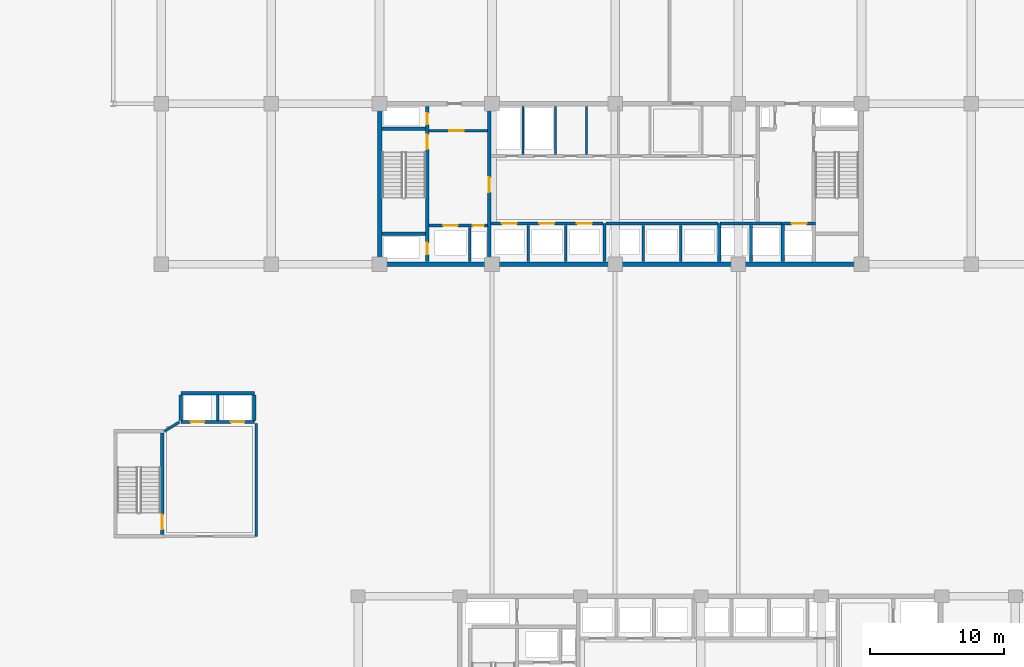
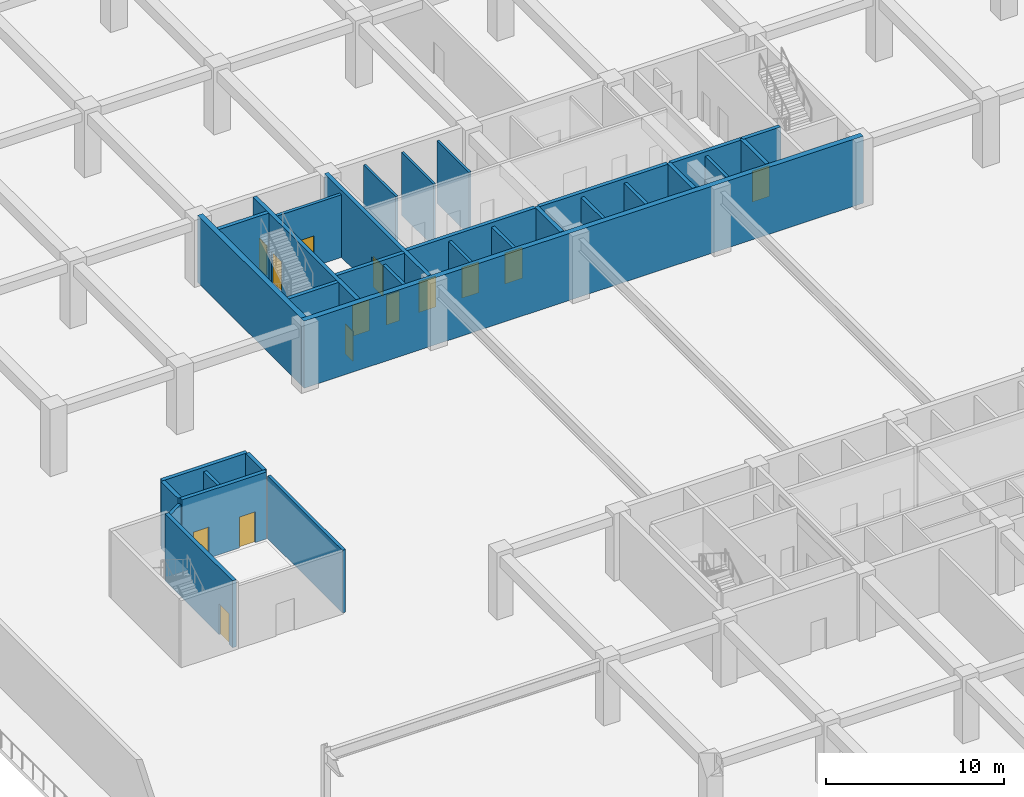
# One storey, part 24 of 45: 32 walls, 14 doors, 14 openings.
"""IFC4 building model written with IfcOpenShell, lengths in metres."""

from ifc_helpers import new_model, si_unit, direction, frame, frame_2d, origin, place, context, subcontext, project, spatial, rectangle, extrude, material, layer, layer_set, type_object, element, fill, save


model = new_model("IFC4")

# Units and contexts
model_context = context("Model", 3, precision=1e-05, world=origin(), true_north=direction((0.0, 1.0)))
body_context = subcontext(model_context, "Body", "Model", "MODEL_VIEW")
ifc_project = project(units=[si_unit("LENGTHUNIT", "METRE"), si_unit("AREAUNIT", "SQUARE_METRE"), si_unit("VOLUMEUNIT", "CUBIC_METRE"), si_unit("PLANEANGLEUNIT", "RADIAN"), si_unit("MASSUNIT", "GRAM", prefix="KILO")], contexts=[model_context])

# Site, building, storey
site_placement = place(None, origin())
site = spatial("IfcSite", under=ifc_project, at=site_placement, CompositionType="ELEMENT")
building_placement = place(site_placement, origin())
building = spatial("IfcBuilding", under=site, at=building_placement, Name="Korimba Cascade Residences", CompositionType="ELEMENT")
storey_placement = place(building_placement, frame((0.0, 0.0, 5.39990234375)))
storey = spatial("IfcBuildingStorey", under=building, at=storey_placement, Name="L01", CompositionType="ELEMENT", Elevation=5.39990234375)

# Walls
ifc_material_1 = material(Name="Concrete C65/80", Category="concrete")
ifc_layer_1 = layer(ifc_material_1, 0.35009765625)
ifc_layer_set_1 = layer_set([ifc_layer_1], Name="Concrete C65/80")
wall_type_1 = type_object("IfcWallType", Name="WAL-CORE-350", PredefinedType="SHEAR", material=ifc_layer_set_1)
wall_1_placement = place(storey_placement, frame((75.949951171875, 55.199951171875, 0.0), z_axis=(0.0, 0.0, 1.0), x_axis=(1.0, 0.0, 0.0)))
element("IfcWall", 1, at=wall_1_placement, inside=storey, type_object=wall_type_1, Name="L01 Core Shear Wall CW-L01-T1-S", PredefinedType="SHEAR", context=body_context, shape_type="SweptSolid", body=[
    extrude(rectangle(XDim=36.300048828125, YDim=0.35009765625, at=frame_2d((18.14990234375, 0.0))), origin(), (0.0, 0.0, 1.0), 4.60009765625),
])
wall_2_placement = place(storey_placement, frame((76.125, 55.375, 0.0), z_axis=(0.0, 0.0, 1.0), x_axis=(0.0, 1.0, 0.0)))
element("IfcWall", 2, at=wall_2_placement, inside=storey, type_object=wall_type_1, Name="L01 Core Shear Wall CW-L01-T1-W", PredefinedType="SHEAR", context=body_context, shape_type="SweptSolid", body=[
    extrude(rectangle(XDim=11.64990234375, YDim=0.35009765625, at=frame_2d((5.824951171875, 0.0))), origin(), (0.0, 0.0, 1.0), 4.60009765625),
])
ifc_material_2 = material(Name="Insulated Acoustic Stud Partition", Category="gypsum")
ifc_layer_2 = layer(ifc_material_2, 0.14990234375)
ifc_layer_set_2 = layer_set([ifc_layer_2], Name="Insulated Acoustic Stud Partition")
wall_type_2 = type_object("IfcWallType", Name="WAL-PART-150", PredefinedType="PARTITIONING", material=ifc_layer_set_2)
for number, where, z_axis, x_axis, name in (
    (3, (86.800048828125, 63.39990234375, 0.0), (0.0, 0.0, 1.0), (0.0, 1.0, 0.0), "L01 Partition Wall CW-L01-T1-ERDIV"),
    (4, (89.25, 63.39990234375, 0.0), (0.0, 0.0, 1.0), (0.0, 1.0, 0.0), "L01 Partition Wall CW-L01-T1-PRDIV"),
    (5, (91.550048828125, 63.39990234375, 0.0), (0.0, 0.0, 1.0), (0.0, 1.0, 0.0), "L01 Partition Wall CW-L01-T1-CA1W1"),
):
    element("IfcWall", number, at=place(storey_placement, frame(where, z_axis=z_axis, x_axis=x_axis)), inside=storey, type_object=wall_type_2, Name=name, PredefinedType="PARTITIONING", context=body_context, shape_type="SweptSolid", body=[
        extrude(rectangle(XDim=3.60009765625, YDim=0.14990234375, at=frame_2d((1.800048828125, 0.0))), origin(), (0.0, 0.0, 1.0), 4.300048828125),
    ])
ifc_material_3 = material(Name="Concrete C40/50", Category="concrete")
ifc_layer_3 = layer(ifc_material_3, 0.199951171875)
ifc_layer_set_3 = layer_set([ifc_layer_3], Name="Concrete C40/50")
wall_type_3 = type_object("IfcWallType", Name="WAL-PART-200", PredefinedType="PARTITIONING", material=ifc_layer_set_3)
wall_3_placement = place(storey_placement, frame((82.85009765625, 55.39990234375, 0.0), z_axis=(0.0, 0.0, 1.0), x_axis=(0.0, 1.0, 0.0)))
element("IfcWall", 6, at=wall_3_placement, inside=storey, type_object=wall_type_3, Name="L01 Partition Wall CW-L01-T1-FFLDIV", PredefinedType="PARTITIONING", context=body_context, shape_type="SweptSolid", body=[
    extrude(rectangle(XDim=2.56005859375, YDim=0.199951171875, at=frame_2d((1.280029296875, 0.0))), origin(), (0.0, 0.0, 1.0), 4.300048828125),
])

# Wall, opening, door
wall_4_placement = place(storey_placement, frame((79.7900390625, 65.179931640625, 0.0), z_axis=(0.0, 0.0, 1.0), x_axis=(1.0, 0.0, 0.0)))
wall_4 = element("IfcWall", 7, at=wall_4_placement, inside=storey, type_object=wall_type_3, Name="L01 Partition Wall CW-L01-T1-FFLN", PredefinedType="PARTITIONING", context=body_context, shape_type="SweptSolid", body=[
    extrude(rectangle(XDim=4.389892578125, YDim=0.199951171875, at=frame_2d((2.19482421875, 0.0))), origin(), (0.0, 0.0, 1.0), 4.300048828125),
])
opening_1_placement = place(wall_4_placement, frame((1.5, 0.0, 0.0)))
opening_1 = element("IfcOpeningElement", 8, at=opening_1_placement, cuts=wall_4, Name="Opening D-FD1", PredefinedType="OPENING", context=body_context, shape_type="SweptSolid", body=[
    extrude(rectangle(XDim=1.10009765625, YDim=2.10009765625, at=frame_2d((0.550048828125, 1.050048828125))), frame((0.0, 0.10986328125, 0.0), z_axis=(0.0, -1.0, 0.0), x_axis=(1.0, 0.0, 0.0)), (0.0, 0.0, 1.0), 0.219970703125),
])
ifc_material_4 = material(Name="Fire-Rated Steel Core Door", Category="steel")
door_type_1 = type_object("IfcDoorType", Name="DR-FD120-1100", OperationType="NOTDEFINED", PredefinedType="DOOR", material=ifc_material_4)
door_1_placement = place(opening_1_placement, origin())
door_1 = element("IfcDoor", 9, at=door_1_placement, inside=storey, type_object=door_type_1, Name="L01 West Firefighting Lobby Door", OperationType="SINGLE_SWING_LEFT", OverallHeight=2.10009765625, OverallWidth=1.10009765625, PredefinedType="DOOR", context=body_context, shape_type="SweptSolid", body=[
    extrude(rectangle(XDim=1.10009765625, YDim=2.10009765625, at=frame_2d((0.550048828125, 1.050048828125))), frame((0.0, 0.02490234375, 0.0), z_axis=(0.0, -1.0, 0.0), x_axis=(1.0, 0.0, 0.0)), (0.0, 0.0, 1.0), 0.050048828125),
])
fill(opening_1, door_1)

# Walls
for number, where, z_axis, x_axis, name in (
    (10, (87.199951171875, 55.39990234375, 0.0), (0.0, 0.0, 1.0), (0.0, 1.0, 0.0), "L01 Partition Wall CW-L01-T1-B1D1"),
    (11, (90.0, 55.39990234375, 0.0), (0.0, 0.0, 1.0), (0.0, 1.0, 0.0), "L01 Partition Wall CW-L01-T1-B1D2"),
    (12, (95.800048828125, 55.39990234375, 0.0), (0.0, 0.0, 1.0), (0.0, 1.0, 0.0), "L01 Partition Wall CW-L01-T1-B2D1"),
    (13, (98.60009765625, 55.39990234375, 0.0), (0.0, 0.0, 1.0), (0.0, 1.0, 0.0), "L01 Partition Wall CW-L01-T1-B2D2"),
    (14, (103.85009765625, 55.39990234375, 0.0), (0.0, 0.0, 1.0), (0.0, 1.0, 0.0), "L01 Partition Wall CW-L01-T1-B3D1"),
):
    element("IfcWall", number, at=place(storey_placement, frame(where, z_axis=z_axis, x_axis=x_axis)), inside=storey, type_object=wall_type_3, Name=name, PredefinedType="PARTITIONING", context=body_context, shape_type="SweptSolid", body=[
        extrude(rectangle(XDim=2.72021484375, YDim=0.199951171875, at=frame_2d((1.360107421875, 0.0))), origin(), (0.0, 0.0, 1.0), 4.300048828125),
    ])
wall_5_placement = place(storey_placement, frame((64.0, 43.550048828125, 0.0), z_axis=(0.0, 0.0, 1.0), x_axis=(0.0, 1.0, 0.0)))
element("IfcWall", 15, at=wall_5_placement, inside=storey, type_object=wall_type_3, Name="L01 Partition Wall CW-L01-SHPM", PredefinedType="PARTITIONING", context=body_context, shape_type="SweptSolid", body=[
    extrude(rectangle(XDim=1.89990234375, YDim=0.199951171875, at=frame_2d((0.949951171875, 0.0))), origin(), (0.0, 0.0, 1.0), 4.300048828125),
])
wall_6_placement = place(storey_placement, frame((66.89990234375, 34.875, 0.0), z_axis=(0.0, 0.0, 1.0), x_axis=(0.0, 1.0, 0.0)))
element("IfcWall", 16, at=wall_6_placement, inside=storey, type_object=wall_type_3, Name="L01 Partition Wall CW-L01-PLOBE", PredefinedType="PARTITIONING", context=body_context, shape_type="SweptSolid", body=[
    extrude(rectangle(XDim=8.425048828125, YDim=0.199951171875, at=frame_2d((4.21240234375, 0.0))), origin(), (0.0, 0.0, 1.0), 4.300048828125),
])
wall_7_placement = place(storey_placement, frame((60.02001953125, 42.72509765625, 0.0), z_axis=(0.0, 0.0, 1.0), x_axis=(0.851822584555, 0.523830396638, 0.0)))
element("IfcWall", 17, at=wall_7_placement, inside=storey, type_object=wall_type_3, Name="L01 Partition Wall CW-L01-PLOBN", PredefinedType="PARTITIONING", context=body_context, shape_type="SweptSolid", body=[
    extrude(rectangle(XDim=1.326416015625, YDim=0.199951171875, at=frame_2d((0.6630859375, 0.0))), origin(), (0.0, 0.0, 1.0), 4.300048828125),
])

# Wall, openings, doors
ifc_material_5 = material(Name="Concrete C50/60", Category="concrete")
ifc_layer_4 = layer(ifc_material_5, 0.25)
ifc_layer_set_4 = layer_set([ifc_layer_4], Name="Concrete C50/60")
wall_type_4 = type_object("IfcWallType", Name="WAL-SHAFT-250", PredefinedType="SHEAR", material=ifc_layer_set_4)
wall_8_placement = place(storey_placement, frame((79.6650390625, 55.39990234375, 0.0), z_axis=(0.0, 0.0, 1.0), x_axis=(0.0, 1.0, 0.0)))
wall_8 = element("IfcWall", 18, at=wall_8_placement, inside=storey, type_object=wall_type_4, Name="L01 Core Shear Wall CW-L01-T1-STW1E", PredefinedType="SHEAR", context=body_context, shape_type="SweptSolid", body=[
    extrude(rectangle(XDim=11.60009765625, YDim=0.25, at=frame_2d((5.800048828125, 0.0))), origin(), (0.0, 0.0, 1.0), 4.60009765625),
])
opening_2_placement = place(wall_8_placement, frame((0.550048828125, 0.0, 0.0)))
opening_2 = element("IfcOpeningElement", 19, at=opening_2_placement, cuts=wall_8, Name="Opening D-RS1", PredefinedType="OPENING", context=body_context, shape_type="SweptSolid", body=[
    extrude(rectangle(XDim=0.85009765625, YDim=2.050048828125, at=frame_2d((0.425048828125, 1.02490234375))), frame((0.0, 0.135009765625, 0.0), z_axis=(0.0, -1.0, 0.0), x_axis=(1.0, 0.0, 0.0)), (0.0, 0.0, 1.0), 0.27001953125),
])
opening_3_placement = place(wall_8_placement, frame((8.39990234375, 0.0, 0.0)))
opening_3 = element("IfcOpeningElement", 20, at=opening_3_placement, cuts=wall_8, Name="Opening D-FD1", PredefinedType="OPENING", context=body_context, shape_type="SweptSolid", body=[
    extrude(rectangle(XDim=1.10009765625, YDim=2.10009765625, at=frame_2d((0.550048828125, 1.050048828125))), frame((0.0, 0.135009765625, 0.0), z_axis=(0.0, -1.0, 0.0), x_axis=(1.0, 0.0, 0.0)), (0.0, 0.0, 1.0), 0.27001953125),
])
opening_4_placement = place(wall_8_placement, frame((10.25, 0.0, 0.0)))
opening_4 = element("IfcOpeningElement", 21, at=opening_4_placement, cuts=wall_8, Name="Opening D-RS1", PredefinedType="OPENING", context=body_context, shape_type="SweptSolid", body=[
    extrude(rectangle(XDim=0.85009765625, YDim=2.050048828125, at=frame_2d((0.425048828125, 1.02490234375))), frame((0.0, 0.135009765625, 0.0), z_axis=(0.0, -1.0, 0.0), x_axis=(1.0, 0.0, 0.0)), (0.0, 0.0, 1.0), 0.27001953125),
])
door_2_placement = place(opening_3_placement, origin())
door_2 = element("IfcDoor", 22, at=door_2_placement, inside=storey, type_object=door_type_1, Name="L01 Fire Stair ST-W1 Door", OperationType="SINGLE_SWING_RIGHT", OverallHeight=2.10009765625, OverallWidth=1.10009765625, PredefinedType="DOOR", context=body_context, shape_type="SweptSolid", body=[
    extrude(rectangle(XDim=1.10009765625, YDim=2.10009765625, at=frame_2d((0.550048828125, 1.050048828125))), frame((0.0, 0.02490234375, 0.0), z_axis=(0.0, -1.0, 0.0), x_axis=(1.0, 0.0, 0.0)), (0.0, 0.0, 1.0), 0.050048828125),
])
fill(opening_3, door_2)
ifc_material_6 = material(Name="Fire-Rated Steel Riser Access Door", Category="steel")
door_type_2 = type_object("IfcDoorType", Name="DR-FD60-850", OperationType="NOTDEFINED", PredefinedType="DOOR", material=ifc_material_6)
door_3_placement = place(opening_2_placement, origin())
door_3 = element("IfcDoor", 23, at=door_3_placement, inside=storey, type_object=door_type_2, Name="L01 Smoke Riser Access Door", OperationType="SINGLE_SWING_LEFT", OverallHeight=2.050048828125, OverallWidth=0.85009765625, PredefinedType="DOOR", context=body_context, shape_type="SweptSolid", body=[
    extrude(rectangle(XDim=0.85009765625, YDim=2.050048828125, at=frame_2d((0.425048828125, 1.02490234375))), frame((0.0, 0.02490234375, 0.0), z_axis=(0.0, -1.0, 0.0), x_axis=(1.0, 0.0, 0.0)), (0.0, 0.0, 1.0), 0.050048828125),
])
fill(opening_2, door_3)
door_4_placement = place(opening_4_placement, origin())
door_4 = element("IfcDoor", 24, at=door_4_placement, inside=storey, type_object=door_type_2, Name="L01 Hydrant Riser Access Door", OperationType="SINGLE_SWING_LEFT", OverallHeight=2.050048828125, OverallWidth=0.85009765625, PredefinedType="DOOR", context=body_context, shape_type="SweptSolid", body=[
    extrude(rectangle(XDim=0.85009765625, YDim=2.050048828125, at=frame_2d((0.425048828125, 1.02490234375))), frame((0.0, 0.02490234375, 0.0), z_axis=(0.0, -1.0, 0.0), x_axis=(1.0, 0.0, 0.0)), (0.0, 0.0, 1.0), 0.050048828125),
])
fill(opening_4, door_4)

# Walls
for number, where, z_axis, x_axis, name in (
    (25, (76.300048828125, 57.47509765625, 0.0), (0.0, 0.0, 1.0), (1.0, 0.0, 0.0), "L01 Core Shear Wall CW-L01-T1-STW1S"),
    (26, (76.300048828125, 65.324951171875, 0.0), (0.0, 0.0, 1.0), (1.0, 0.0, 0.0), "L01 Core Shear Wall CW-L01-T1-STW1N"),
):
    element("IfcWall", number, at=place(storey_placement, frame(where, z_axis=z_axis, x_axis=x_axis)), inside=storey, type_object=wall_type_4, Name=name, PredefinedType="SHEAR", context=body_context, shape_type="SweptSolid", body=[
        extrude(rectangle(XDim=3.239990234375, YDim=0.25, at=frame_2d((1.6201171875, 0.0))), origin(), (0.0, 0.0, 1.0), 4.60009765625),
    ])

# Wall, openings, doors
wall_9_placement = place(storey_placement, frame((79.7900390625, 58.10009765625, 0.0), z_axis=(0.0, 0.0, 1.0), x_axis=(1.0, 0.0, 0.0)))
wall_9 = element("IfcWall", 27, at=wall_9_placement, inside=storey, type_object=wall_type_4, Name="L01 Core Shear Wall CW-L01-T1-FFLS", PredefinedType="SHEAR", context=body_context, shape_type="SweptSolid", body=[
    extrude(rectangle(XDim=4.389892578125, YDim=0.25, at=frame_2d((2.19482421875, 0.0))), origin(), (0.0, 0.0, 1.0), 4.60009765625),
])
opening_5_placement = place(wall_9_placement, frame((1.050048828125, 0.0, 0.0)))
opening_5 = element("IfcOpeningElement", 28, at=opening_5_placement, cuts=wall_9, Name="Opening LD-01", PredefinedType="OPENING", context=body_context, shape_type="SweptSolid", body=[
    extrude(rectangle(XDim=1.1201171875, YDim=2.1201171875, at=frame_2d((0.56005859375, 1.06005859375))), frame((0.0, 0.135009765625, 0.0), z_axis=(0.0, -1.0, 0.0), x_axis=(1.0, 0.0, 0.0)), (0.0, 0.0, 1.0), 0.27001953125),
])
opening_6_placement = place(wall_9_placement, frame((3.260009765625, 0.0, 0.0)))
opening_6 = element("IfcOpeningElement", 29, at=opening_6_placement, cuts=wall_9, Name="Opening D-RS1", PredefinedType="OPENING", context=body_context, shape_type="SweptSolid", body=[
    extrude(rectangle(XDim=0.85009765625, YDim=2.050048828125, at=frame_2d((0.425048828125, 1.02490234375))), frame((0.0, 0.135009765625, 0.0), z_axis=(0.0, -1.0, 0.0), x_axis=(1.0, 0.0, 0.0)), (0.0, 0.0, 1.0), 0.27001953125),
])
door_5_placement = place(opening_6_placement, origin())
door_5 = element("IfcDoor", 30, at=door_5_placement, inside=storey, type_object=door_type_2, Name="L01 Pressurisation Riser Door", OperationType="SINGLE_SWING_RIGHT", OverallHeight=2.050048828125, OverallWidth=0.85009765625, PredefinedType="DOOR", context=body_context, shape_type="SweptSolid", body=[
    extrude(rectangle(XDim=0.85009765625, YDim=2.050048828125, at=frame_2d((0.425048828125, 1.02490234375))), frame((0.0, 0.02490234375, 0.0), z_axis=(0.0, -1.0, 0.0), x_axis=(1.0, 0.0, 0.0)), (0.0, 0.0, 1.0), 0.050048828125),
])
fill(opening_6, door_5)
ifc_material_7 = material(Name="Stainless Steel Lift Landing Sliding Door", Category="steel")
door_type_3 = type_object("IfcDoorType", Name="DR-LIFT-1100", OperationType="NOTDEFINED", PredefinedType="DOOR", material=ifc_material_7)
door_6_placement = place(opening_5_placement, origin())
door_6 = element("IfcDoor", 31, at=door_6_placement, inside=storey, type_object=door_type_3, Name="L01 Firefighting Lift Landing Door FFL-W1", OperationType="SLIDING_TO_LEFT", OverallHeight=2.1201171875, OverallWidth=1.1201171875, PredefinedType="DOOR", context=body_context, shape_type="SweptSolid", body=[
    extrude(rectangle(XDim=1.1201171875, YDim=2.1201171875, at=frame_2d((0.56005859375, 1.06005859375))), frame((0.0, 0.02490234375, 0.0), z_axis=(0.0, -1.0, 0.0), x_axis=(1.0, 0.0, 0.0)), (0.0, 0.0, 1.0), 0.050048828125),
])
fill(opening_5, door_6)

# Wall, opening, door
wall_10_placement = place(storey_placement, frame((84.300048828125, 55.39990234375, 0.0), z_axis=(0.0, 0.0, 1.0), x_axis=(0.0, 1.0, 0.0)))
wall_10 = element("IfcWall", 32, at=wall_10_placement, inside=storey, type_object=wall_type_4, Name="L01 Core Shear Wall CW-L01-T1-FFLE", PredefinedType="SHEAR", context=body_context, shape_type="SweptSolid", body=[
    extrude(rectangle(XDim=11.60009765625, YDim=0.25, at=frame_2d((5.800048828125, 0.0))), origin(), (0.0, 0.0, 1.0), 4.60009765625),
])
opening_7_placement = place(wall_10_placement, frame((5.199951171875, 0.0, 0.0)))
opening_7 = element("IfcOpeningElement", 33, at=opening_7_placement, cuts=wall_10, Name="Opening D-FD1", PredefinedType="OPENING", context=body_context, shape_type="SweptSolid", body=[
    extrude(rectangle(XDim=1.10009765625, YDim=2.10009765625, at=frame_2d((0.550048828125, 1.050048828125))), frame((0.0, 0.135009765625, 0.0), z_axis=(0.0, -1.0, 0.0), x_axis=(1.0, 0.0, 0.0)), (0.0, 0.0, 1.0), 0.27001953125),
])
door_7_placement = place(opening_7_placement, origin())
door_7 = element("IfcDoor", 34, at=door_7_placement, inside=storey, type_object=door_type_1, Name="L01 Firefighting Lobby to Lift Lobby Door", OperationType="SINGLE_SWING_RIGHT", OverallHeight=2.10009765625, OverallWidth=1.10009765625, PredefinedType="DOOR", context=body_context, shape_type="SweptSolid", body=[
    extrude(rectangle(XDim=1.10009765625, YDim=2.10009765625, at=frame_2d((0.550048828125, 1.050048828125))), frame((0.0, 0.02490234375, 0.0), z_axis=(0.0, -1.0, 0.0), x_axis=(1.0, 0.0, 0.0)), (0.0, 0.0, 1.0), 0.050048828125),
])
fill(opening_7, door_7)

# Wall, openings, doors
wall_11_placement = place(storey_placement, frame((84.419921875, 58.25, 0.0), z_axis=(0.0, 0.0, 1.0), x_axis=(1.0, 0.0, 0.0)))
wall_11 = element("IfcWall", 35, at=wall_11_placement, inside=storey, type_object=wall_type_4, Name="L01 Core Shear Wall CW-L01-T1-B1N", PredefinedType="SHEAR", context=body_context, shape_type="SweptSolid", body=[
    extrude(rectangle(XDim=8.360107421875, YDim=0.25, at=frame_2d((4.18017578125, 0.0))), origin(), (0.0, 0.0, 1.0), 4.60009765625),
])
opening_8_placement = place(wall_11_placement, frame((0.820068359375, 0.0, 0.0)))
opening_8 = element("IfcOpeningElement", 36, at=opening_8_placement, cuts=wall_11, Name="Opening LD-01", PredefinedType="OPENING", context=body_context, shape_type="SweptSolid", body=[
    extrude(rectangle(XDim=1.1201171875, YDim=2.1201171875, at=frame_2d((0.56005859375, 1.06005859375))), frame((0.0, 0.135009765625, 0.0), z_axis=(0.0, -1.0, 0.0), x_axis=(1.0, 0.0, 0.0)), (0.0, 0.0, 1.0), 0.27001953125),
])
opening_9_placement = place(wall_11_placement, frame((3.6201171875, 0.0, 0.0)))
opening_9 = element("IfcOpeningElement", 37, at=opening_9_placement, cuts=wall_11, Name="Opening LD-01", PredefinedType="OPENING", context=body_context, shape_type="SweptSolid", body=[
    extrude(rectangle(XDim=1.1201171875, YDim=2.1201171875, at=frame_2d((0.56005859375, 1.06005859375))), frame((0.0, 0.135009765625, 0.0), z_axis=(0.0, -1.0, 0.0), x_axis=(1.0, 0.0, 0.0)), (0.0, 0.0, 1.0), 0.27001953125),
])
opening_10_placement = place(wall_11_placement, frame((6.419921875, 0.0, 0.0)))
opening_10 = element("IfcOpeningElement", 38, at=opening_10_placement, cuts=wall_11, Name="Opening LD-01", PredefinedType="OPENING", context=body_context, shape_type="SweptSolid", body=[
    extrude(rectangle(XDim=1.1201171875, YDim=2.1201171875, at=frame_2d((0.56005859375, 1.06005859375))), frame((0.0, 0.135009765625, 0.0), z_axis=(0.0, -1.0, 0.0), x_axis=(1.0, 0.0, 0.0)), (0.0, 0.0, 1.0), 0.27001953125),
])
door_8_placement = place(opening_8_placement, origin())
door_8 = element("IfcDoor", 39, at=door_8_placement, inside=storey, type_object=door_type_3, Name="L01 Lift Landing Door PL-W1", OperationType="SLIDING_TO_LEFT", OverallHeight=2.1201171875, OverallWidth=1.1201171875, PredefinedType="DOOR", context=body_context, shape_type="SweptSolid", body=[
    extrude(rectangle(XDim=1.1201171875, YDim=2.1201171875, at=frame_2d((0.56005859375, 1.06005859375))), frame((0.0, 0.02490234375, 0.0), z_axis=(0.0, -1.0, 0.0), x_axis=(1.0, 0.0, 0.0)), (0.0, 0.0, 1.0), 0.050048828125),
])
fill(opening_8, door_8)
door_9_placement = place(opening_9_placement, origin())
door_9 = element("IfcDoor", 40, at=door_9_placement, inside=storey, type_object=door_type_3, Name="L01 Lift Landing Door PL-W2", OperationType="SLIDING_TO_LEFT", OverallHeight=2.1201171875, OverallWidth=1.1201171875, PredefinedType="DOOR", context=body_context, shape_type="SweptSolid", body=[
    extrude(rectangle(XDim=1.1201171875, YDim=2.1201171875, at=frame_2d((0.56005859375, 1.06005859375))), frame((0.0, 0.02490234375, 0.0), z_axis=(0.0, -1.0, 0.0), x_axis=(1.0, 0.0, 0.0)), (0.0, 0.0, 1.0), 0.050048828125),
])
fill(opening_9, door_9)
door_10_placement = place(opening_10_placement, origin())
door_10 = element("IfcDoor", 41, at=door_10_placement, inside=storey, type_object=door_type_3, Name="L01 Lift Landing Door PL-W3", OperationType="SLIDING_TO_LEFT", OverallHeight=2.1201171875, OverallWidth=1.1201171875, PredefinedType="DOOR", context=body_context, shape_type="SweptSolid", body=[
    extrude(rectangle(XDim=1.1201171875, YDim=2.1201171875, at=frame_2d((0.56005859375, 1.06005859375))), frame((0.0, 0.02490234375, 0.0), z_axis=(0.0, -1.0, 0.0), x_axis=(1.0, 0.0, 0.0)), (0.0, 0.0, 1.0), 0.050048828125),
])
fill(opening_10, door_10)

# Walls
wall_12_placement = place(storey_placement, frame((92.89990234375, 55.39990234375, 0.0), z_axis=(0.0, 0.0, 1.0), x_axis=(0.0, 1.0, 0.0)))
element("IfcWall", 42, at=wall_12_placement, inside=storey, type_object=wall_type_4, Name="L01 Core Shear Wall CW-L01-T1-B12DIV", PredefinedType="SHEAR", context=body_context, shape_type="SweptSolid", body=[
    extrude(rectangle(XDim=2.85009765625, YDim=0.25, at=frame_2d((1.425048828125, 0.0))), origin(), (0.0, 0.0, 1.0), 4.60009765625),
])
wall_13_placement = place(storey_placement, frame((93.02001953125, 58.25, 0.0), z_axis=(0.0, 0.0, 1.0), x_axis=(1.0, 0.0, 0.0)))
element("IfcWall", 43, at=wall_13_placement, inside=storey, type_object=wall_type_4, Name="L01 Core Shear Wall CW-L01-T1-B2N", PredefinedType="SHEAR", context=body_context, shape_type="SweptSolid", body=[
    extrude(rectangle(XDim=8.35986328125, YDim=0.25, at=frame_2d((4.179931640625, 0.0))), origin(), (0.0, 0.0, 1.0), 4.60009765625),
])
wall_14_placement = place(storey_placement, frame((101.47998046875, 55.39990234375, 0.0), z_axis=(0.0, 0.0, 1.0), x_axis=(0.0, 1.0, 0.0)))
element("IfcWall", 44, at=wall_14_placement, inside=storey, type_object=wall_type_4, Name="L01 Core Shear Wall CW-L01-T1-B23DIV", PredefinedType="SHEAR", context=body_context, shape_type="SweptSolid", body=[
    extrude(rectangle(XDim=2.85009765625, YDim=0.25, at=frame_2d((1.425048828125, 0.0))), origin(), (0.0, 0.0, 1.0), 4.60009765625),
])
wall_15_placement = place(storey_placement, frame((101.550048828125, 58.25, 0.0), z_axis=(0.0, 0.0, 1.0), x_axis=(1.0, 0.0, 0.0)))
element("IfcWall", 45, at=wall_15_placement, inside=storey, type_object=wall_type_4, Name="L01 Core Shear Wall CW-L01-T1-B3N", PredefinedType="SHEAR", context=body_context, shape_type="SweptSolid", body=[
    extrude(rectangle(XDim=4.599853515625, YDim=0.25, at=frame_2d((2.2998046875, 0.0))), origin(), (0.0, 0.0, 1.0), 4.60009765625),
])
wall_16_placement = place(storey_placement, frame((106.219970703125, 55.39990234375, 0.0), z_axis=(0.0, 0.0, 1.0), x_axis=(0.0, 1.0, 0.0)))
element("IfcWall", 46, at=wall_16_placement, inside=storey, type_object=wall_type_4, Name="L01 Core Shear Wall CW-L01-T1-FF2W", PredefinedType="SHEAR", context=body_context, shape_type="SweptSolid", body=[
    extrude(rectangle(XDim=2.85009765625, YDim=0.25, at=frame_2d((1.425048828125, 0.0))), origin(), (0.0, 0.0, 1.0), 4.60009765625),
])

# Wall, opening, door
wall_17_placement = place(storey_placement, frame((106.219970703125, 58.25, 0.0), z_axis=(0.0, 0.0, 1.0), x_axis=(1.0, 0.0, 0.0)))
wall_17 = element("IfcWall", 47, at=wall_17_placement, inside=storey, type_object=wall_type_4, Name="L01 Core Shear Wall CW-L01-T1-FF2N", PredefinedType="SHEAR", context=body_context, shape_type="SweptSolid", body=[
    extrude(rectangle(XDim=2.4599609375, YDim=0.25, at=frame_2d((1.22998046875, 0.0))), origin(), (0.0, 0.0, 1.0), 4.60009765625),
])
opening_11_placement = place(wall_17_placement, frame((0.669921875, 0.0, 0.0)))
opening_11 = element("IfcOpeningElement", 48, at=opening_11_placement, cuts=wall_17, Name="Opening LD-01", PredefinedType="OPENING", context=body_context, shape_type="SweptSolid", body=[
    extrude(rectangle(XDim=1.1201171875, YDim=2.1201171875, at=frame_2d((0.56005859375, 1.06005859375))), frame((0.0, 0.135009765625, 0.0), z_axis=(0.0, -1.0, 0.0), x_axis=(1.0, 0.0, 0.0)), (0.0, 0.0, 1.0), 0.27001953125),
])
door_11_placement = place(opening_11_placement, origin())
door_11 = element("IfcDoor", 49, at=door_11_placement, inside=storey, type_object=door_type_3, Name="L01 Firefighting Lift Landing Door FFL-W2", OperationType="SLIDING_TO_RIGHT", OverallHeight=2.1201171875, OverallWidth=1.1201171875, PredefinedType="DOOR", context=body_context, shape_type="SweptSolid", body=[
    extrude(rectangle(XDim=1.1201171875, YDim=2.1201171875, at=frame_2d((0.56005859375, 1.06005859375))), frame((0.0, 0.02490234375, 0.0), z_axis=(0.0, -1.0, 0.0), x_axis=(1.0, 0.0, 0.0)), (0.0, 0.0, 1.0), 0.050048828125),
])
fill(opening_11, door_11)

wall_18_placement = place(storey_placement, frame((59.864990234375, 35.0, 0.0), z_axis=(0.0, 0.0, 1.0), x_axis=(0.0, 1.0, 0.0)))
wall_18 = element("IfcWall", 50, at=wall_18_placement, inside=storey, type_object=wall_type_4, Name="L01 Core Shear Wall CW-L01-STP1E", PredefinedType="SHEAR", context=body_context, shape_type="SweptSolid", body=[
    extrude(rectangle(XDim=7.60009765625, YDim=0.25, at=frame_2d((3.800048828125, 0.0))), origin(), (0.0, 0.0, 1.0), 4.60009765625),
])
opening_12_placement = place(wall_18_placement, frame((0.39990234375, 0.0, 0.0)))
opening_12 = element("IfcOpeningElement", 51, at=opening_12_placement, cuts=wall_18, Name="Opening D-FD1", PredefinedType="OPENING", context=body_context, shape_type="SweptSolid", body=[
    extrude(rectangle(XDim=1.10009765625, YDim=2.10009765625, at=frame_2d((0.550048828125, 1.050048828125))), frame((0.0, 0.135009765625, 0.0), z_axis=(0.0, -1.0, 0.0), x_axis=(1.0, 0.0, 0.0)), (0.0, 0.0, 1.0), 0.27001953125),
])
door_12_placement = place(opening_12_placement, origin())
door_12 = element("IfcDoor", 52, at=door_12_placement, inside=storey, type_object=door_type_1, Name="L01 Podium Stair ST-P1 Door", OperationType="SINGLE_SWING_RIGHT", OverallHeight=2.10009765625, OverallWidth=1.10009765625, PredefinedType="DOOR", context=body_context, shape_type="SweptSolid", body=[
    extrude(rectangle(XDim=1.10009765625, YDim=2.10009765625, at=frame_2d((0.550048828125, 1.050048828125))), frame((0.0, 0.02490234375, 0.0), z_axis=(0.0, -1.0, 0.0), x_axis=(1.0, 0.0, 0.0)), (0.0, 0.0, 1.0), 0.050048828125),
])
fill(opening_12, door_12)

# Wall, openings, doors
wall_19_placement = place(storey_placement, frame((61.25, 43.419921875, 0.0), z_axis=(0.0, 0.0, 1.0), x_axis=(1.0, 0.0, 0.0)))
wall_19 = element("IfcWall", 53, at=wall_19_placement, inside=storey, type_object=wall_type_4, Name="L01 Core Shear Wall CW-L01-SHPS", PredefinedType="SHEAR", context=body_context, shape_type="SweptSolid", body=[
    extrude(rectangle(XDim=5.5, YDim=0.25, at=frame_2d((2.75, 0.0))), origin(), (0.0, 0.0, 1.0), 4.60009765625),
])
opening_13_placement = place(wall_19_placement, frame((0.739990234375, 0.0, 0.0)))
opening_13 = element("IfcOpeningElement", 54, at=opening_13_placement, cuts=wall_19, Name="Opening LD-02", PredefinedType="OPENING", context=body_context, shape_type="SweptSolid", body=[
    extrude(rectangle(XDim=1.02001953125, YDim=2.1201171875, at=frame_2d((0.510009765625, 1.06005859375))), frame((0.0, 0.135009765625, 0.0), z_axis=(0.0, -1.0, 0.0), x_axis=(1.0, 0.0, 0.0)), (0.0, 0.0, 1.0), 0.27001953125),
])
opening_14_placement = place(wall_19_placement, frame((3.739990234375, 0.0, 0.0)))
opening_14 = element("IfcOpeningElement", 55, at=opening_14_placement, cuts=wall_19, Name="Opening LD-02", PredefinedType="OPENING", context=body_context, shape_type="SweptSolid", body=[
    extrude(rectangle(XDim=1.02001953125, YDim=2.1201171875, at=frame_2d((0.510009765625, 1.06005859375))), frame((0.0, 0.135009765625, 0.0), z_axis=(0.0, -1.0, 0.0), x_axis=(1.0, 0.0, 0.0)), (0.0, 0.0, 1.0), 0.27001953125),
])
ifc_material_8 = material(Name="Stainless Steel Shuttle Lift Landing Door", Category="steel")
door_type_4 = type_object("IfcDoorType", Name="DR-LIFT-1000", OperationType="NOTDEFINED", PredefinedType="DOOR", material=ifc_material_8)
door_13_placement = place(opening_13_placement, origin())
door_13 = element("IfcDoor", 56, at=door_13_placement, inside=storey, type_object=door_type_4, Name="L01 Shuttle Lift Landing Door PL-P1", OperationType="SLIDING_TO_LEFT", OverallHeight=2.1201171875, OverallWidth=1.02001953125, PredefinedType="DOOR", context=body_context, shape_type="SweptSolid", body=[
    extrude(rectangle(XDim=1.02001953125, YDim=2.1201171875, at=frame_2d((0.510009765625, 1.06005859375))), frame((0.0, 0.02490234375, 0.0), z_axis=(0.0, -1.0, 0.0), x_axis=(1.0, 0.0, 0.0)), (0.0, 0.0, 1.0), 0.050048828125),
])
fill(opening_13, door_13)
door_14_placement = place(opening_14_placement, origin())
door_14 = element("IfcDoor", 57, at=door_14_placement, inside=storey, type_object=door_type_4, Name="L01 Shuttle Lift Landing Door PL-P2", OperationType="SLIDING_TO_RIGHT", OverallHeight=2.1201171875, OverallWidth=1.02001953125, PredefinedType="DOOR", context=body_context, shape_type="SweptSolid", body=[
    extrude(rectangle(XDim=1.02001953125, YDim=2.1201171875, at=frame_2d((0.510009765625, 1.06005859375))), frame((0.0, 0.02490234375, 0.0), z_axis=(0.0, -1.0, 0.0), x_axis=(1.0, 0.0, 0.0)), (0.0, 0.0, 1.0), 0.050048828125),
])
fill(opening_14, door_14)

# Walls
wall_20_placement = place(storey_placement, frame((61.25, 45.580078125, 0.0), z_axis=(0.0, 0.0, 1.0), x_axis=(1.0, 0.0, 0.0)))
element("IfcWall", 58, at=wall_20_placement, inside=storey, type_object=wall_type_4, Name="L01 Core Shear Wall CW-L01-SHPN", PredefinedType="SHEAR", context=body_context, shape_type="SweptSolid", body=[
    extrude(rectangle(XDim=5.5, YDim=0.25, at=frame_2d((2.75, 0.0))), origin(), (0.0, 0.0, 1.0), 4.60009765625),
])
for number, where, z_axis, x_axis, name in (
    (59, (61.25, 43.550048828125, 0.0), (0.0, 0.0, 1.0), (0.0, 1.0, 0.0), "L01 Core Shear Wall CW-L01-SHPW"),
    (60, (66.75, 43.550048828125, 0.0), (0.0, 0.0, 1.0), (0.0, 1.0, 0.0), "L01 Core Shear Wall CW-L01-SHPE"),
):
    element("IfcWall", number, at=place(storey_placement, frame(where, z_axis=z_axis, x_axis=x_axis)), inside=storey, type_object=wall_type_4, Name=name, PredefinedType="SHEAR", context=body_context, shape_type="SweptSolid", body=[
        extrude(rectangle(XDim=1.89990234375, YDim=0.25, at=frame_2d((0.949951171875, 0.0))), origin(), (0.0, 0.0, 1.0), 4.60009765625),
    ])

save(model, "model.ifc")
